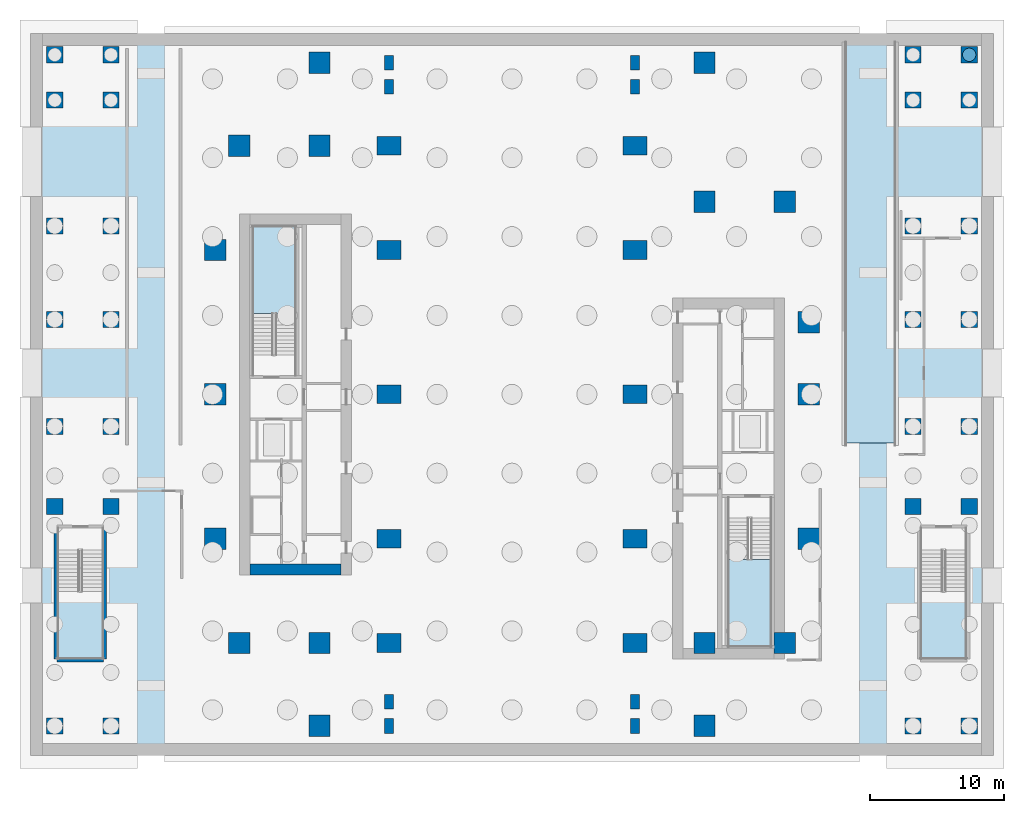
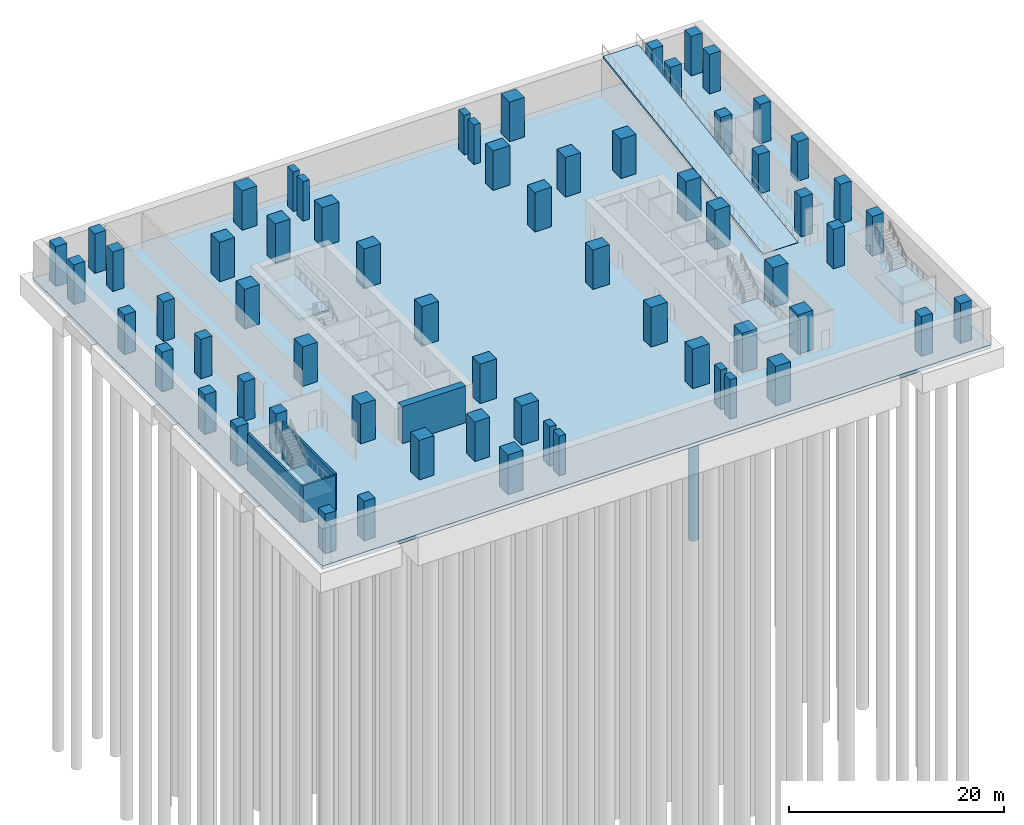
# One storey, part 2 of 15: 64 columns, 6 slabs, 4 walls, 1 pile, 4 elements without a shape of their own.
"""IFC4 building model written with IfcOpenShell, lengths in metres."""

from ifc_helpers import new_model, si_unit, direction, frame, frame_2d, origin, origin_2d, place, context, subcontext, project, spatial, polyline, rectangle, circle, outline, extrude, material, layer, layer_set, material_profile, profile_set, type_object, element, aggregate, save


model = new_model("IFC4")

# Units and contexts
model_context = context("Model", 3, precision=1e-05, world=origin(), true_north=direction((0.0, 1.0)))
body_context = subcontext(model_context, "Body", "Model", "MODEL_VIEW")
ifc_project = project(units=[si_unit("LENGTHUNIT", "METRE"), si_unit("AREAUNIT", "SQUARE_METRE"), si_unit("VOLUMEUNIT", "CUBIC_METRE"), si_unit("PLANEANGLEUNIT", "RADIAN"), si_unit("MASSUNIT", "GRAM", prefix="KILO")], contexts=[model_context])

# Site, building, storey
site_placement = place(None, origin())
site = spatial("IfcSite", under=ifc_project, at=site_placement, CompositionType="ELEMENT")
building_placement = place(site_placement, origin())
building = spatial("IfcBuilding", under=site, at=building_placement, Name="Khairoan Windgate Tower", CompositionType="ELEMENT")
storey_placement = place(building_placement, frame((0.0, 0.0, -9.0)))
storey = spatial("IfcBuildingStorey", under=building, at=storey_placement, Name="B2", CompositionType="ELEMENT", Elevation=-9.0)

# Pile
ifc_material_1 = material(Name="Concrete C50/60", Category="concrete")
ifc_material_profile_1 = material_profile(ifc_material_1, circle(Radius=0.5, at=origin_2d()))
ifc_profile_set_1 = profile_set([ifc_material_profile_1], Name="Concrete C50/60")
pile_type = type_object("IfcPileType", Name="Perimeter Support Pile BP3 RC-D1000", PredefinedType="SUPPORT", material=ifc_profile_set_1)
pile_placement = place(storey_placement, frame((34.199951171875, 25.39990234375, -2.050048828125), z_axis=(0.0, 0.0, -1.0), x_axis=(1.0, 0.0, 0.0)))
element("IfcPile", 1, at=pile_placement, inside=storey, type_object=pile_type, Name="Perimeter Support Pile BP3-08", PredefinedType="SUPPORT", context=body_context, shape_type="SweptSolid", body=[
    extrude(circle(Radius=0.5, at=origin_2d()), origin(), (0.0, 0.0, 1.0), 51.14990234375),
])

# Columns
ifc_material_2 = material(Name="Concrete C60/75", Category="concrete")
ifc_material_profile_2 = material_profile(ifc_material_2, rectangle(XDim=0.699951171875, YDim=1.10009765625, at=origin_2d()))
ifc_profile_set_2 = profile_set([ifc_material_profile_2], Name="Concrete C60/75")
column_type_1 = type_object("IfcColumnType", Name="Arch Pilaster CP1 RC700x1100", PredefinedType="PILASTER", material=ifc_profile_set_2)
for number, where, z_axis, x_axis, name in (
    (2, (-9.199951171875, -24.800048828125, 0.0), (0.0, 0.0, 1.0), (1.0, 0.0, 0.0), "Column B2-51"),
    (3, (-9.199951171875, 24.800048828125, 0.0), (0.0, 0.0, 1.0), (1.0, 0.0, 0.0), "Column B2-52"),
    (4, (9.199951171875, -24.800048828125, 0.0), (0.0, 0.0, 1.0), (1.0, 0.0, 0.0), "Column B2-53"),
    (5, (9.199951171875, 24.800048828125, 0.0), (0.0, 0.0, 1.0), (1.0, 0.0, 0.0), "Column B2-54"),
    (6, (-9.199951171875, -23.0, 0.0), (0.0, 0.0, 1.0), (1.0, 0.0, 0.0), "Inner Arch Pier Pilaster B2-01"),
    (7, (-9.199951171875, 23.0, 0.0), (0.0, 0.0, 1.0), (1.0, 0.0, 0.0), "Inner Arch Pier Pilaster B2-02"),
    (8, (9.199951171875, -23.0, 0.0), (0.0, 0.0, 1.0), (1.0, 0.0, 0.0), "Inner Arch Pier Pilaster B2-03"),
    (9, (9.199951171875, 23.0, 0.0), (0.0, 0.0, 1.0), (1.0, 0.0, 0.0), "Inner Arch Pier Pilaster B2-04"),
):
    element("IfcColumn", number, at=place(storey_placement, frame(where, z_axis=z_axis, x_axis=x_axis)), inside=storey, type_object=column_type_1, Name=name, PredefinedType="PILASTER", context=body_context, shape_type="SweptSolid", body=[
        extrude(rectangle(XDim=0.699951171875, YDim=1.10009765625, at=origin_2d()), origin(), (0.0, 0.0, 1.0), 4.5),
    ])
ifc_material_3 = material(Name="Concrete C70/85", Category="concrete")
ifc_material_profile_3 = material_profile(ifc_material_3, rectangle(XDim=1.800048828125, YDim=1.39990234375, at=origin_2d()))
ifc_profile_set_3 = profile_set([ifc_material_profile_3], Name="Concrete C70/85")
column_type_2 = type_object("IfcColumnType", Name="Column C-AP1 RC1800x1400", PredefinedType="COLUMN", material=ifc_profile_set_3)
for number, where, z_axis, x_axis, name in (
    (10, (-9.199951171875, -18.60009765625, 0.0), (0.0, 0.0, 1.0), (1.0, 0.0, 0.0), "Column B2-01"),
    (11, (-9.199951171875, -10.800048828125, 0.0), (0.0, 0.0, 1.0), (1.0, 0.0, 0.0), "Column B2-02"),
    (12, (-9.199951171875, 0.0, 0.0), (0.0, 0.0, 1.0), (1.0, 0.0, 0.0), "Column B2-03"),
    (13, (-9.199951171875, 10.800048828125, 0.0), (0.0, 0.0, 1.0), (1.0, 0.0, 0.0), "Column B2-04"),
    (14, (-9.199951171875, 18.60009765625, 0.0), (0.0, 0.0, 1.0), (1.0, 0.0, 0.0), "Column B2-05"),
    (15, (9.199951171875, -18.60009765625, 0.0), (0.0, 0.0, 1.0), (1.0, 0.0, 0.0), "Column B2-06"),
    (16, (9.199951171875, -10.800048828125, 0.0), (0.0, 0.0, 1.0), (1.0, 0.0, 0.0), "Column B2-07"),
    (17, (9.199951171875, 0.0, 0.0), (0.0, 0.0, 1.0), (1.0, 0.0, 0.0), "Column B2-08"),
    (18, (9.199951171875, 10.800048828125, 0.0), (0.0, 0.0, 1.0), (1.0, 0.0, 0.0), "Column B2-09"),
    (19, (9.199951171875, 18.60009765625, 0.0), (0.0, 0.0, 1.0), (1.0, 0.0, 0.0), "Column B2-10"),
):
    element("IfcColumn", number, at=place(storey_placement, frame(where, z_axis=z_axis, x_axis=x_axis)), inside=storey, type_object=column_type_2, Name=name, PredefinedType="COLUMN", context=body_context, shape_type="SweptSolid", body=[
        extrude(rectangle(XDim=1.800048828125, YDim=1.39990234375, at=origin_2d()), origin(), (0.0, 0.0, 1.0), 4.5),
    ])
ifc_material_4 = material(Name="Concrete C70/85", Category="concrete")
ifc_material_profile_4 = material_profile(ifc_material_4, rectangle(XDim=1.60009765625, YDim=1.60009765625, at=origin_2d()))
ifc_profile_set_4 = profile_set([ifc_material_profile_4], Name="Concrete C70/85")
column_type_3 = type_object("IfcColumnType", Name="Column C-T1 RC1600x1600", PredefinedType="COLUMN", material=ifc_profile_set_4)
for number, where, z_axis, x_axis, name in (
    (20, (-20.39990234375, -18.60009765625, 0.0), (0.0, 0.0, 1.0), (1.0, 0.0, 0.0), "Column B2-11"),
    (21, (-20.39990234375, 18.60009765625, 0.0), (0.0, 0.0, 1.0), (1.0, 0.0, 0.0), "Column B2-12"),
    (22, (20.39990234375, -18.60009765625, 0.0), (0.0, 0.0, 1.0), (1.0, 0.0, 0.0), "Column B2-13"),
    (23, (20.39990234375, 14.39990234375, 0.0), (0.0, 0.0, 1.0), (1.0, 0.0, 0.0), "Column B2-14"),
    (24, (-14.39990234375, -18.60009765625, 0.0), (0.0, 0.0, 1.0), (1.0, 0.0, 0.0), "Column B2-15"),
    (25, (-14.39990234375, 18.60009765625, 0.0), (0.0, 0.0, 1.0), (1.0, 0.0, 0.0), "Column B2-16"),
    (26, (14.39990234375, -18.60009765625, 0.0), (0.0, 0.0, 1.0), (1.0, 0.0, 0.0), "Column B2-17"),
    (27, (14.39990234375, 14.39990234375, 0.0), (0.0, 0.0, 1.0), (1.0, 0.0, 0.0), "Column B2-18"),
    (28, (-22.199951171875, -10.800048828125, 0.0), (0.0, 0.0, 1.0), (1.0, 0.0, 0.0), "Column B2-55"),
    (29, (-22.199951171875, 0.0, 0.0), (0.0, 0.0, 1.0), (1.0, 0.0, 0.0), "Column B2-56"),
    (30, (-22.199951171875, 10.800048828125, 0.0), (0.0, 0.0, 1.0), (1.0, 0.0, 0.0), "Column B2-57"),
    (31, (22.199951171875, -10.800048828125, 0.0), (0.0, 0.0, 1.0), (1.0, 0.0, 0.0), "Column B2-58"),
    (32, (22.199951171875, 0.0, 0.0), (0.0, 0.0, 1.0), (1.0, 0.0, 0.0), "Column B2-59"),
    (33, (22.199951171875, 5.39990234375, 0.0), (0.0, 0.0, 1.0), (1.0, 0.0, 0.0), "Column B2-60"),
    (34, (-14.39990234375, -24.800048828125, 0.0), (0.0, 0.0, 1.0), (1.0, 0.0, 0.0), "Column B2-61"),
    (35, (-14.39990234375, 24.800048828125, 0.0), (0.0, 0.0, 1.0), (1.0, 0.0, 0.0), "Column B2-62"),
    (36, (14.39990234375, -24.800048828125, 0.0), (0.0, 0.0, 1.0), (1.0, 0.0, 0.0), "Column B2-63"),
    (37, (14.39990234375, 24.800048828125, 0.0), (0.0, 0.0, 1.0), (1.0, 0.0, 0.0), "Column B2-64"),
):
    element("IfcColumn", number, at=place(storey_placement, frame(where, z_axis=z_axis, x_axis=x_axis)), inside=storey, type_object=column_type_3, Name=name, PredefinedType="COLUMN", context=body_context, shape_type="SweptSolid", body=[
        extrude(rectangle(XDim=1.60009765625, YDim=1.60009765625, at=origin_2d()), origin(), (0.0, 0.0, 1.0), 4.5),
    ])
ifc_material_5 = material(Name="Concrete C60/75", Category="concrete")
ifc_material_profile_5 = material_profile(ifc_material_5, rectangle(XDim=1.199951171875, YDim=1.199951171875, at=origin_2d()))
ifc_profile_set_5 = profile_set([ifc_material_profile_5], Name="Concrete C60/75")
column_type_4 = type_object("IfcColumnType", Name="Column C-T3 RC1200x1200", PredefinedType="COLUMN", material=ifc_profile_set_5)
for number, where, z_axis, x_axis, name in (
    (38, (-34.199951171875, -24.800048828125, 0.0), (0.0, 0.0, 1.0), (1.0, 0.0, 0.0), "Column B2-19"),
    (39, (-34.199951171875, -8.39990234375, 0.0), (0.0, 0.0, 1.0), (1.0, 0.0, 0.0), "Column B2-21"),
    (40, (-34.199951171875, -2.39990234375, 0.0), (0.0, 0.0, 1.0), (1.0, 0.0, 0.0), "Column B2-22"),
    (41, (-34.199951171875, 5.60009765625, 0.0), (0.0, 0.0, 1.0), (1.0, 0.0, 0.0), "Column B2-23"),
    (42, (-34.199951171875, 12.60009765625, 0.0), (0.0, 0.0, 1.0), (1.0, 0.0, 0.0), "Column B2-24"),
    (43, (-34.199951171875, 22.0, 0.0), (0.0, 0.0, 1.0), (1.0, 0.0, 0.0), "Column B2-25"),
    (44, (-34.199951171875, 25.39990234375, 0.0), (0.0, 0.0, 1.0), (1.0, 0.0, 0.0), "Column B2-26"),
    (45, (-30.0, -24.800048828125, 0.0), (0.0, 0.0, 1.0), (1.0, 0.0, 0.0), "Column B2-27"),
    (46, (-30.0, -8.39990234375, 0.0), (0.0, 0.0, 1.0), (1.0, 0.0, 0.0), "Column B2-29"),
    (47, (-30.0, -2.39990234375, 0.0), (0.0, 0.0, 1.0), (1.0, 0.0, 0.0), "Column B2-30"),
    (48, (-30.0, 5.60009765625, 0.0), (0.0, 0.0, 1.0), (1.0, 0.0, 0.0), "Column B2-31"),
    (49, (-30.0, 12.60009765625, 0.0), (0.0, 0.0, 1.0), (1.0, 0.0, 0.0), "Column B2-32"),
    (50, (-30.0, 22.0, 0.0), (0.0, 0.0, 1.0), (1.0, 0.0, 0.0), "Column B2-33"),
    (51, (-30.0, 25.39990234375, 0.0), (0.0, 0.0, 1.0), (1.0, 0.0, 0.0), "Column B2-34"),
    (52, (30.0, -24.800048828125, 0.0), (0.0, 0.0, 1.0), (1.0, 0.0, 0.0), "Column B2-35"),
    (53, (30.0, -8.39990234375, 0.0), (0.0, 0.0, 1.0), (1.0, 0.0, 0.0), "Column B2-37"),
    (54, (30.0, -2.39990234375, 0.0), (0.0, 0.0, 1.0), (1.0, 0.0, 0.0), "Column B2-38"),
    (55, (30.0, 5.60009765625, 0.0), (0.0, 0.0, 1.0), (1.0, 0.0, 0.0), "Column B2-39"),
    (56, (30.0, 12.60009765625, 0.0), (0.0, 0.0, 1.0), (1.0, 0.0, 0.0), "Column B2-40"),
    (57, (30.0, 22.0, 0.0), (0.0, 0.0, 1.0), (1.0, 0.0, 0.0), "Column B2-41"),
    (58, (30.0, 25.39990234375, 0.0), (0.0, 0.0, 1.0), (1.0, 0.0, 0.0), "Column B2-42"),
    (59, (34.199951171875, -24.800048828125, 0.0), (0.0, 0.0, 1.0), (1.0, 0.0, 0.0), "Column B2-43"),
    (60, (34.199951171875, -8.39990234375, 0.0), (0.0, 0.0, 1.0), (1.0, 0.0, 0.0), "Column B2-45"),
    (61, (34.199951171875, -2.39990234375, 0.0), (0.0, 0.0, 1.0), (1.0, 0.0, 0.0), "Column B2-46"),
    (62, (34.199951171875, 5.60009765625, 0.0), (0.0, 0.0, 1.0), (1.0, 0.0, 0.0), "Column B2-47"),
    (63, (34.199951171875, 12.60009765625, 0.0), (0.0, 0.0, 1.0), (1.0, 0.0, 0.0), "Column B2-48"),
    (64, (34.199951171875, 22.0, 0.0), (0.0, 0.0, 1.0), (1.0, 0.0, 0.0), "Column B2-49"),
    (65, (34.199951171875, 25.39990234375, 0.0), (0.0, 0.0, 1.0), (1.0, 0.0, 0.0), "Column B2-50"),
):
    element("IfcColumn", number, at=place(storey_placement, frame(where, z_axis=z_axis, x_axis=x_axis)), inside=storey, type_object=column_type_4, Name=name, PredefinedType="COLUMN", context=body_context, shape_type="SweptSolid", body=[
        extrude(rectangle(XDim=1.199951171875, YDim=1.199951171875, at=origin_2d()), origin(), (0.0, 0.0, 1.0), 4.5),
    ])

# Slab
ifc_material_6 = material(Name="Concrete C50/60", Category="concrete")
ifc_layer_1 = layer(ifc_material_6, 0.39990234375, Name="Concrete C50/60")
ifc_layer_set_1 = layer_set([ifc_layer_1], Name="Concrete C50/60")
slab_type_1 = type_object("IfcSlabType", Name="Basement Base Slab BS1 400mm", PredefinedType="BASESLAB", material=ifc_layer_set_1)
slab_1_placement = place(storey_placement, frame((0.0, 0.0, -0.39990234375)))
element("IfcSlab", 66, at=slab_1_placement, inside=storey, type_object=slab_type_1, Name="B2 Structural Floor Slab", PredefinedType="BASESLAB", context=body_context, shape_type="SweptSolid", body=[
    extrude(outline(polyline([(-36.0, -27.0), (36.0, -27.0), (36.0, 27.0), (-36.0, 27.0), (-36.0, -27.0)])), origin(), (0.0, 0.0, 1.0), 0.39990234375),
])

# Stair, slab
ifc_material_7 = material(Name="Concrete C40/50", Category="concrete")
stair_type_1 = type_object("IfcStairType", Name="Tower Core Dog-Leg Stair ST-T1 1560mm", PredefinedType="HALF_TURN_STAIR", material=ifc_material_7)
stair_1_placement = place(storey_placement, origin())
stair_1 = element("IfcStair", 67, at=stair_1_placement, inside=storey, type_object=stair_type_1, Name="B2 Stair ST1", PredefinedType="HALF_TURN_STAIR")
ifc_material_8 = material(Name="Concrete C40/50", Category="concrete")
ifc_layer_2 = layer(ifc_material_8, 0.199951171875, Name="Concrete C40/50")
ifc_layer_set_2 = layer_set([ifc_layer_2], Name="Concrete C40/50")
slab_type_2 = type_object("IfcSlabType", Name="Reinforced Concrete Stair Landing Slab STL-200", PredefinedType="LANDING", material=ifc_layer_set_2)
slab_2_placement = place(storey_placement, frame((0.0, 0.0, 2.050048828125)))
slab_2 = element("IfcSlab", 68, at=slab_2_placement, type_object=slab_type_2, Name="ST1 landing 1", PredefinedType="LANDING", context=body_context, shape_type="SweptSolid", body=[
    extrude(outline(polyline([(16.14990234375, -12.340087890625), (16.14990234375, -18.89990234375), (19.419921875, -18.89990234375), (19.419921875, -12.340087890625), (16.14990234375, -12.340087890625)])), origin(), (0.0, 0.0, 1.0), 0.199951171875),
])
aggregate(stair_1, [slab_2])

stair_2_placement = place(storey_placement, origin())
stair_2 = element("IfcStair", 69, at=stair_2_placement, inside=storey, type_object=stair_type_1, Name="B2 Stair ST2", PredefinedType="HALF_TURN_STAIR")
slab_3_placement = place(storey_placement, frame((0.0, 0.0, 2.050048828125)))
slab_3 = element("IfcSlab", 70, at=slab_3_placement, type_object=slab_type_2, Name="ST2 landing 1", PredefinedType="LANDING", context=body_context, shape_type="SweptSolid", body=[
    extrude(outline(polyline([(-16.14990234375, 6.0400390625), (-16.14990234375, 12.60009765625), (-19.419921875, 12.60009765625), (-19.419921875, 6.0400390625), (-16.14990234375, 6.0400390625)])), origin(), (0.0, 0.0, 1.0), 0.199951171875),
])
aggregate(stair_2, [slab_3])

ifc_material_9 = material(Name="Concrete C40/50", Category="concrete")
stair_type_2 = type_object("IfcStairType", Name="Podium Exit Dog-Leg Stair ST-T2 1660mm", PredefinedType="HALF_TURN_STAIR", material=ifc_material_9)
stair_3_placement = place(storey_placement, origin())
stair_3 = element("IfcStair", 71, at=stair_3_placement, inside=storey, type_object=stair_type_2, Name="B2 Stair ST3", PredefinedType="HALF_TURN_STAIR")
slab_4_placement = place(storey_placement, frame((0.0, 0.0, 2.050048828125)))
slab_4 = element("IfcSlab", 72, at=slab_4_placement, type_object=slab_type_2, Name="ST3 landing 1", PredefinedType="LANDING", context=body_context, shape_type="SweptSolid", body=[
    extrude(outline(polyline([(30.550048828125, -14.739990234375), (30.550048828125, -19.800048828125), (34.02001953125, -19.800048828125), (34.02001953125, -14.739990234375), (30.550048828125, -14.739990234375)])), origin(), (0.0, 0.0, 1.0), 0.199951171875),
])
aggregate(stair_3, [slab_4])

stair_4_placement = place(storey_placement, origin())
stair_4 = element("IfcStair", 73, at=stair_4_placement, inside=storey, type_object=stair_type_2, Name="B2 Stair ST4", PredefinedType="HALF_TURN_STAIR")
slab_5_placement = place(storey_placement, frame((0.0, 0.0, 2.050048828125)))
slab_5 = element("IfcSlab", 74, at=slab_5_placement, type_object=slab_type_2, Name="ST4 landing 1", PredefinedType="LANDING", context=body_context, shape_type="SweptSolid", body=[
    extrude(outline(polyline([(-34.02001953125, -14.739990234375), (-34.02001953125, -19.800048828125), (-30.550048828125, -19.800048828125), (-30.550048828125, -14.739990234375), (-34.02001953125, -14.739990234375)])), origin(), (0.0, 0.0, 1.0), 0.199951171875),
])
aggregate(stair_4, [slab_5])

# Slab
ifc_material_10 = material(Name="Concrete C40/50", Category="concrete")
ifc_layer_3 = layer(ifc_material_10, 0.260009765625, Name="Concrete C40/50")
ifc_layer_set_3 = layer_set([ifc_layer_3], Name="Concrete C40/50")
slab_type_3 = type_object("IfcSlabType", Name="Vehicle Ramp Structural Slab VS-260", PredefinedType="FLOOR", material=ifc_layer_set_3)
slab_6_placement = place(storey_placement, frame((24.89990234375, -3.64990234375, 0.0283203125), z_axis=(0.0, -0.147476592982, 0.98906554612), x_axis=(1.0, 0.0, 0.0)))
element("IfcSlab", 75, at=slab_6_placement, inside=storey, type_object=slab_type_3, Name="Car Park Vehicular Ramp R2 (B1 to B2) Structural Concrete Slab", PredefinedType="FLOOR", context=body_context, shape_type="SweptSolid", body=[
    extrude(outline(polyline([(0.0, 0.0), (3.800048828125, 0.0), (3.800048828125, 30.129251599542716), (0.0, 30.129251599542716), (0.0, 0.0)])), origin(), (0.0, 0.0, -1.0), 0.260009765625),
])

# Walls
ifc_material_11 = material(Name="Concrete C70/85", Category="concrete")
ifc_layer_4 = layer(ifc_material_11, 0.800048828125, Name="Concrete C70/85")
ifc_layer_set_4 = layer_set([ifc_layer_4], Name="Concrete C70/85")
wall_type_1 = type_object("IfcWallType", Name="Shear Wall CW-W1 800mm", PredefinedType="SHEAR", material=ifc_layer_set_4)
wall_1_placement = place(storey_placement, frame((-19.60009765625, -13.10009765625, 0.0), z_axis=(0.0, 0.0, 1.0), x_axis=(1.0, 0.0, 0.0)))
element("IfcWall", 76, at=wall_1_placement, inside=storey, type_object=wall_type_1, Name="W Core South Shear Wall B2", PredefinedType="SHEAR", context=body_context, shape_type="SweptSolid", body=[
    extrude(rectangle(XDim=6.800048828125, YDim=0.800048828125, at=frame_2d((3.39990234375, 0.0))), origin(), (0.0, 0.0, 1.0), 4.199951171875),
])
ifc_material_12 = material(Name="Concrete C50/60", Category="concrete")
ifc_layer_5 = layer(ifc_material_12, 0.219970703125, Name="Concrete C50/60")
ifc_layer_set_5 = layer_set([ifc_layer_5], Name="Concrete C50/60")
wall_type_2 = type_object("IfcWallType", Name="Shear Wall SW-ST 220mm", PredefinedType="SHEAR", material=ifc_layer_set_5)
wall_2_placement = place(storey_placement, frame((-34.02001953125, -19.909912109375, 0.0), z_axis=(0.0, 0.0, 1.0), x_axis=(1.0, 0.0, 0.0)))
element("IfcWall", 77, at=wall_2_placement, inside=storey, type_object=wall_type_2, Name="B2 ST4 South Bearing Wall", PredefinedType="SHEAR", context=body_context, shape_type="SweptSolid", body=[
    extrude(rectangle(XDim=3.469970703125, YDim=0.219970703125, at=frame_2d((1.73486328125, 0.0))), origin(), (0.0, 0.0, 1.0), 4.199951171875),
])
for number, where, z_axis, x_axis, name in (
    (78, (-34.1298828125, -19.800048828125, 0.0), (0.0, 0.0, 1.0), (0.0, 1.0, 0.0), "B2 ST4 West Bearing Wall"),
    (79, (-30.43994140625, -19.800048828125, 0.0), (0.0, 0.0, 1.0), (0.0, 1.0, 0.0), "B2 ST4 East Bearing Wall"),
):
    element("IfcWall", number, at=place(storey_placement, frame(where, z_axis=z_axis, x_axis=x_axis)), inside=storey, type_object=wall_type_2, Name=name, PredefinedType="SHEAR", context=body_context, shape_type="SweptSolid", body=[
        extrude(rectangle(XDim=9.800048828125, YDim=0.219970703125, at=frame_2d((4.89990234375, 0.0))), origin(), (0.0, 0.0, 1.0), 4.199951171875),
    ])

save(model, "model.ifc")
